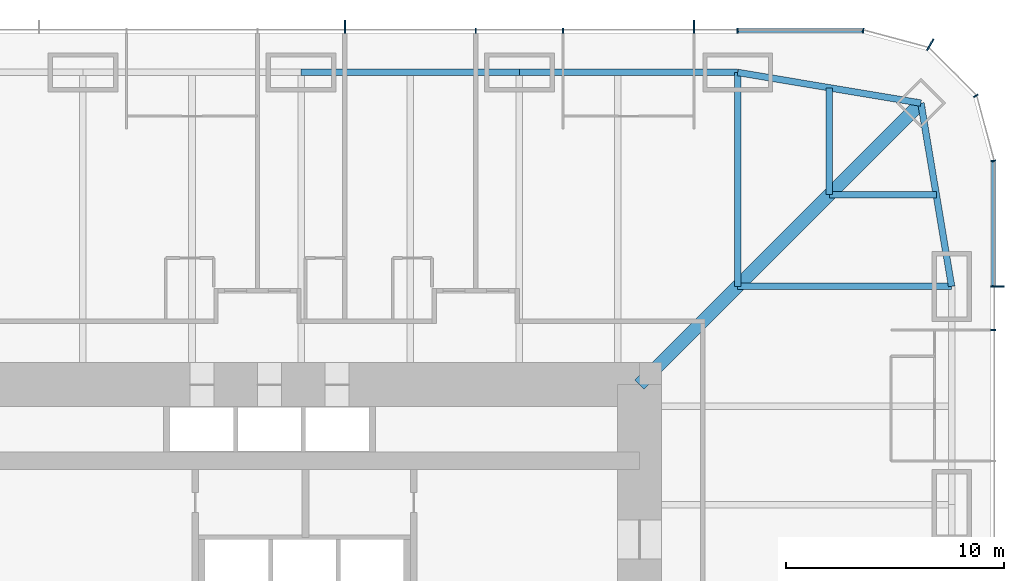
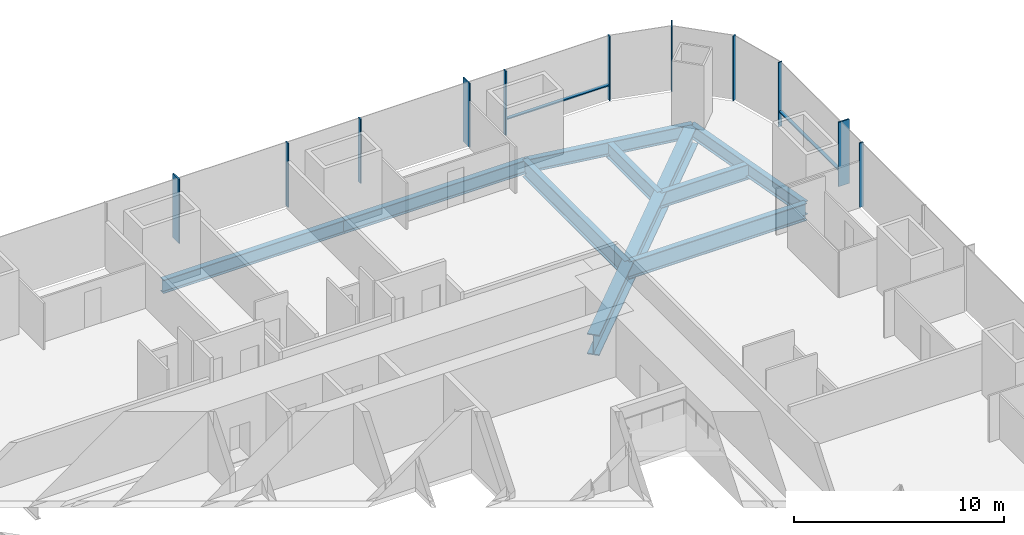
# One storey, part 9 of 17: 13 members, 9 beams, 3 elements without a shape of their own.
"""IFC4 building model written with IfcOpenShell, lengths in metres."""

from ifc_helpers import new_model, si_unit, direction, frame, origin, origin_2d, place, context, subcontext, project, spatial, rectangle, i_section, extrude, material, material_profile, profile_set, type_object, element, aggregate, save


model = new_model("IFC4")

# Units and contexts
model_context = context("Model", 3, precision=1e-05, world=origin(), true_north=direction((0.0, 1.0)))
body_context = subcontext(model_context, "Body", "Model", "MODEL_VIEW")
ifc_project = project(units=[si_unit("LENGTHUNIT", "METRE"), si_unit("AREAUNIT", "SQUARE_METRE"), si_unit("VOLUMEUNIT", "CUBIC_METRE"), si_unit("PLANEANGLEUNIT", "RADIAN"), si_unit("MASSUNIT", "GRAM", prefix="KILO")], contexts=[model_context])

# Site, building, storey
site_placement = place(None, origin())
site = spatial("IfcSite", under=ifc_project, at=site_placement, CompositionType="ELEMENT")
building_placement = place(site_placement, origin())
building = spatial("IfcBuilding", under=site, at=building_placement, Name="Khuree Lantern Residences", CompositionType="ELEMENT")
storey_placement = place(building_placement, frame((0.0, 0.0, 47.25)))
storey = spatial("IfcBuildingStorey", under=building, at=storey_placement, Name="L11", CompositionType="ELEMENT", Elevation=47.25)

# Beams
ifc_material_1 = material(Name="Steel S355", Category="steel")
ifc_material_profile_1 = material_profile(ifc_material_1, i_section(OverallWidth=0.300048828125, OverallDepth=0.889892578125, WebThickness=0.01611328125, FlangeThickness=0.030029296875, FilletRadius=0.030029296875, at=origin_2d()), Name="HE 900 A")
ifc_profile_set_1 = profile_set([ifc_material_profile_1], Name="Steel S355")
beam_type_1 = type_object("IfcBeamType", Name="B-12 SECONDARY BEAM HE 900 A", PredefinedType="BEAM", material=ifc_profile_set_1)
for number, where, z_axis, x_axis, name in (
    (1, (24.197021484375, 29.09716796875, -0.695068359375), (0.0, -1.0, 0.0), (1.0, 0.0, 0.0), "Secondary beam N5"),
    (2, (29.09716796875, 24.197021484375, -0.695068359375), (-1.0, 0.0, 0.0), (0.0, -1.0, 0.0), "Secondary beam E1"),
):
    element("IfcBeam", number, at=place(storey_placement, frame(where, z_axis=z_axis, x_axis=x_axis)), inside=storey, type_object=beam_type_1, Name=name, PredefinedType="BEAM", context=body_context, shape_type="SweptSolid", body=[
        extrude(i_section(OverallWidth=0.300048828125, OverallDepth=0.889892578125, WebThickness=0.01611328125, FlangeThickness=0.030029296875, FilletRadius=0.030029296875, at=origin_2d()), origin(), (0.0, 0.0, 1.0), 4.900146484375),
    ])
ifc_material_profile_2 = material_profile(ifc_material_1, i_section(OverallWidth=0.300048828125, OverallDepth=0.7900390625, WebThickness=0.014892578125, FlangeThickness=0.028076171875, FilletRadius=0.030029296875, at=origin_2d()), Name="HE 800 A")
ifc_profile_set_2 = profile_set([ifc_material_profile_2], Name="Steel S355")
beam_type_2 = type_object("IfcBeamType", Name="E-12 SPANDREL BEAM HE 800 A", PredefinedType="SPANDREL", material=ifc_profile_set_2)
for number, where, z_axis, x_axis, name in (
    (3, (0.0, 29.800048828125, -0.64501953125), (1.0, 0.0, 0.0), (0.0, 1.0, 0.0), "Spandrel beam N3"),
    (4, (10.0, 29.800048828125, -0.64501953125), (1.0, 0.0, 0.0), (0.0, 1.0, 0.0), "Spandrel beam N4"),
):
    element("IfcBeam", number, at=place(storey_placement, frame(where, z_axis=z_axis, x_axis=x_axis)), inside=storey, type_object=beam_type_2, Name=name, PredefinedType="SPANDREL", context=body_context, shape_type="SweptSolid", body=[
        extrude(i_section(OverallWidth=0.300048828125, OverallDepth=0.7900390625, WebThickness=0.014892578125, FlangeThickness=0.028076171875, FilletRadius=0.030029296875, at=origin_2d()), origin(), (0.0, 0.0, 1.0), 10.0),
    ])
for number, where, z_axis, x_axis, name in (
    (5, (20.0, 29.800048828125, -0.64501953125), (0.986260251158, -0.165199022349, 0.0), (0.165199022349, 0.986260251158, 0.0), "Spandrel beam N5"),
    (6, (28.39404296875, 28.39404296875, -0.64501953125), (0.165199022349, -0.986260251158, 0.0), (0.986260251158, 0.165199022349, 0.0), "Spandrel beam E1"),
):
    element("IfcBeam", number, at=place(storey_placement, frame(where, z_axis=z_axis, x_axis=x_axis)), inside=storey, type_object=beam_type_2, Name=name, PredefinedType="SPANDREL", context=body_context, shape_type="SweptSolid", body=[
        extrude(i_section(OverallWidth=0.300048828125, OverallDepth=0.7900390625, WebThickness=0.014892578125, FlangeThickness=0.028076171875, FilletRadius=0.030029296875, at=origin_2d()), origin(), (0.0, 0.0, 1.0), 8.510986328125),
    ])

# Curtain wall, member
ifc_material_2 = material(Name="Bronze anodised aluminium", Category="aluminium")
curtain_wall_type_1 = type_object("IfcCurtainWallType", Name="CW-T1 TOWER FACE CURTAIN WALL", PredefinedType="USERDEFINED", material=ifc_material_2)
curtain_wall_1_placement = place(storey_placement, origin())
curtain_wall_1 = element("IfcCurtainWall", 7, at=curtain_wall_1_placement, inside=storey, type_object=curtain_wall_type_1, Name="L11 EAST FACE CURTAIN WALL", ObjectType="Stick-built curtain wall", PredefinedType="USERDEFINED")
ifc_material_profile_3 = material_profile(ifc_material_2, rectangle(XDim=0.06494140625, YDim=0.60009765625, at=origin_2d()), Name="F1 65X600")
ifc_profile_set_3 = profile_set([ifc_material_profile_3], Name="Bronze anodised aluminium")
member_type_1 = type_object("IfcMemberType", Name="F1 BRONZE FIN MULLION TOWER 65X600", PredefinedType="MULLION", material=ifc_profile_set_3)
member_1_placement = place(storey_placement, frame((31.89990234375, 20.0, 0.0), z_axis=(0.0, 0.0, 1.0), x_axis=(0.0, 1.0, 0.0)))
member_1 = element("IfcMember", 8, at=member_1_placement, type_object=member_type_1, Name="L11 EAST FACE FIN MULLION 14", PredefinedType="MULLION", context=body_context, shape_type="SweptSolid", body=[
    extrude(rectangle(XDim=0.06494140625, YDim=0.60009765625, at=origin_2d()), origin(), (0.0, 0.0, 1.0), 3.75),
])

curtain_wall_type_2 = type_object("IfcCurtainWallType", Name="CW-T2 TOWER CORNER CURTAIN WALL", PredefinedType="USERDEFINED", material=ifc_material_2)
curtain_wall_2_placement = place(storey_placement, origin())
curtain_wall_2 = element("IfcCurtainWall", 9, at=curtain_wall_2_placement, inside=storey, type_object=curtain_wall_type_2, Name="L11 NORTH-EAST CORNER CURTAIN WALL", ObjectType="Faceted corner curtain wall", PredefinedType="USERDEFINED")
member_2_placement = place(storey_placement, frame((28.824951171875, 31.076171875, 0.0), z_axis=(0.0, 0.0, 1.0), x_axis=(-0.86602537092, 0.500000056923, 0.0)))
member_2 = element("IfcMember", 10, at=member_2_placement, type_object=member_type_1, Name="L11 NORTH-EAST CORNER FIN MULLION 17", PredefinedType="MULLION", context=body_context, shape_type="SweptSolid", body=[
    extrude(rectangle(XDim=0.06494140625, YDim=0.60009765625, at=origin_2d()), origin(), (0.0, 0.0, 1.0), 3.75),
])

# Curtain wall, members
curtain_wall_3_placement = place(storey_placement, origin())
curtain_wall_3 = element("IfcCurtainWall", 11, at=curtain_wall_3_placement, inside=storey, type_object=curtain_wall_type_1, Name="L11 NORTH FACE CURTAIN WALL", ObjectType="Stick-built curtain wall", PredefinedType="USERDEFINED")
member_3_placement = place(storey_placement, frame((18.0, 31.89990234375, 0.0), z_axis=(0.0, 0.0, 1.0), x_axis=(-1.0, 0.0, 0.0)))
member_3 = element("IfcMember", 12, at=member_3_placement, type_object=member_type_1, Name="L11 NORTH FACE FIN MULLION 20", PredefinedType="MULLION", context=body_context, shape_type="SweptSolid", body=[
    extrude(rectangle(XDim=0.06494140625, YDim=0.60009765625, at=origin_2d()), origin(), (0.0, 0.0, 1.0), 3.75),
])
member_4_placement = place(storey_placement, frame((2.0, 31.89990234375, 0.0), z_axis=(0.0, 0.0, 1.0), x_axis=(-1.0, 0.0, 0.0)))
member_4 = element("IfcMember", 13, at=member_4_placement, type_object=member_type_1, Name="L11 NORTH FACE FIN MULLION 23", PredefinedType="MULLION", context=body_context, shape_type="SweptSolid", body=[
    extrude(rectangle(XDim=0.06494140625, YDim=0.60009765625, at=origin_2d()), origin(), (0.0, 0.0, 1.0), 3.75),
])

# Beams
ifc_material_profile_4 = material_profile(ifc_material_1, i_section(OverallWidth=0.302001953125, OverallDepth=1.008056640625, WebThickness=0.02099609375, FlangeThickness=0.0400390625, FilletRadius=0.030029296875, at=origin_2d()), Name="HE 1000 M")
ifc_profile_set_4 = profile_set([ifc_material_profile_4], Name="Steel S355")
beam_type_3 = type_object("IfcBeamType", Name="G-12 GIRDER HE 1000 M", PredefinedType="BEAM", material=ifc_profile_set_4)
for number, where, z_axis, x_axis, name in (
    (14, (20.0, 29.800048828125, -0.75390625), (0.0, -1.0, 0.0), (1.0, 0.0, 0.0), "Girder N5"),
    (15, (29.800048828125, 20.0, -0.75390625), (-1.0, 0.0, 0.0), (0.0, -1.0, 0.0), "Girder E1"),
):
    element("IfcBeam", number, at=place(storey_placement, frame(where, z_axis=z_axis, x_axis=x_axis)), inside=storey, type_object=beam_type_3, Name=name, PredefinedType="BEAM", context=body_context, shape_type="SweptSolid", body=[
        extrude(i_section(OverallWidth=0.302001953125, OverallDepth=1.008056640625, WebThickness=0.02099609375, FlangeThickness=0.0400390625, FilletRadius=0.030029296875, at=origin_2d()), origin(), (0.0, 0.0, 1.0), 9.800048828125),
    ])
ifc_material_profile_5 = material_profile(ifc_material_1, i_section(OverallWidth=0.60009765625, OverallDepth=1.199951171875, WebThickness=0.030029296875, FlangeThickness=0.06005859375, at=origin_2d()), Name="WELDED I 1200X600X30X60")
ifc_profile_set_5 = profile_set([ifc_material_profile_5], Name="Steel S355")
beam_type_4 = type_object("IfcBeamType", Name="GD-12 CORNER GIRDER WELDED I 1200X600X30X60", PredefinedType="BEAM", material=ifc_profile_set_5)
beam_placement = place(storey_placement, frame((28.39404296875, 28.39404296875, -0.85009765625), z_axis=(-0.707106781187, -0.707106781187, 0.0), x_axis=(0.707106781187, -0.707106781187, 0.0)))
element("IfcBeam", 16, at=beam_placement, inside=storey, type_object=beam_type_4, Name="Corner girder NE", PredefinedType="BEAM", context=body_context, shape_type="SweptSolid", body=[
    extrude(i_section(OverallWidth=0.60009765625, OverallDepth=1.199951171875, WebThickness=0.030029296875, FlangeThickness=0.06005859375, at=origin_2d()), origin(), (0.0, 0.0, 1.0), 18.23486328125),
])

# Member
ifc_material_profile_6 = material_profile(ifc_material_2, rectangle(XDim=0.06494140625, YDim=0.219970703125, at=origin_2d()), Name="M1 65X220")
ifc_profile_set_6 = profile_set([ifc_material_profile_6], Name="Bronze anodised aluminium")
member_type_2 = type_object("IfcMemberType", Name="M1 BRONZE MULLION TOWER 65X220", PredefinedType="MULLION", material=ifc_profile_set_6)
member_5_placement = place(storey_placement, frame((31.7099609375, 18.0, 0.0), z_axis=(0.0, 0.0, 1.0), x_axis=(0.0, 1.0, 0.0)))
member_5 = element("IfcMember", 17, at=member_5_placement, type_object=member_type_2, Name="L11 EAST FACE MULLION 13", PredefinedType="MULLION", context=body_context, shape_type="SweptSolid", body=[
    extrude(rectangle(XDim=0.06494140625, YDim=0.219970703125, at=origin_2d()), origin(), (0.0, 0.0, 1.0), 3.75),
])

member_6_placement = place(storey_placement, frame((31.711669921875, 25.744873046875, 0.0), z_axis=(0.0, 0.0, 1.0), x_axis=(-0.130526257387, 0.991444852794, 0.0)))
member_6 = element("IfcMember", 18, at=member_6_placement, type_object=member_type_2, Name="L11 NORTH-EAST CORNER MULLION 15", PredefinedType="MULLION", context=body_context, shape_type="SweptSolid", body=[
    extrude(rectangle(XDim=0.06494140625, YDim=0.219970703125, at=origin_2d()), origin(), (0.0, 0.0, 1.0), 3.75),
])

member_7_placement = place(storey_placement, frame((30.91162109375, 28.72998046875, 0.0), z_axis=(0.0, 0.0, 1.0), x_axis=(-0.500000056923, 0.86602537092, 0.0)))
member_7 = element("IfcMember", 19, at=member_7_placement, type_object=member_type_2, Name="L11 NORTH-EAST CORNER MULLION 16", PredefinedType="MULLION", context=body_context, shape_type="SweptSolid", body=[
    extrude(rectangle(XDim=0.06494140625, YDim=0.219970703125, at=origin_2d()), origin(), (0.0, 0.0, 1.0), 3.75),
])

aggregate(curtain_wall_2, [member_6, member_7, member_2])

member_8_placement = place(storey_placement, frame((25.744873046875, 31.711669921875, 0.0), z_axis=(0.0, 0.0, 1.0), x_axis=(-0.991444852794, 0.130526257387, 0.0)))
member_8 = element("IfcMember", 20, at=member_8_placement, type_object=member_type_2, Name="L11 NORTH FACE MULLION 18", PredefinedType="MULLION", context=body_context, shape_type="SweptSolid", body=[
    extrude(rectangle(XDim=0.06494140625, YDim=0.219970703125, at=origin_2d()), origin(), (0.0, 0.0, 1.0), 3.75),
])

member_9_placement = place(storey_placement, frame((20.0, 31.7099609375, 0.0), z_axis=(0.0, 0.0, 1.0), x_axis=(-1.0, 0.0, 0.0)))
member_9 = element("IfcMember", 21, at=member_9_placement, type_object=member_type_2, Name="L11 NORTH FACE MULLION 19", PredefinedType="MULLION", context=body_context, shape_type="SweptSolid", body=[
    extrude(rectangle(XDim=0.06494140625, YDim=0.219970703125, at=origin_2d()), origin(), (0.0, 0.0, 1.0), 3.75),
])

member_10_placement = place(storey_placement, frame((12.0, 31.7099609375, 0.0), z_axis=(0.0, 0.0, 1.0), x_axis=(-1.0, 0.0, 0.0)))
member_10 = element("IfcMember", 22, at=member_10_placement, type_object=member_type_2, Name="L11 NORTH FACE MULLION 21", PredefinedType="MULLION", context=body_context, shape_type="SweptSolid", body=[
    extrude(rectangle(XDim=0.06494140625, YDim=0.219970703125, at=origin_2d()), origin(), (0.0, 0.0, 1.0), 3.75),
])

member_11_placement = place(storey_placement, frame((8.0, 31.7099609375, 0.0), z_axis=(0.0, 0.0, 1.0), x_axis=(-1.0, 0.0, 0.0)))
member_11 = element("IfcMember", 23, at=member_11_placement, type_object=member_type_2, Name="L11 NORTH FACE MULLION 22", PredefinedType="MULLION", context=body_context, shape_type="SweptSolid", body=[
    extrude(rectangle(XDim=0.06494140625, YDim=0.219970703125, at=origin_2d()), origin(), (0.0, 0.0, 1.0), 3.75),
])

ifc_material_profile_7 = material_profile(ifc_material_2, rectangle(XDim=0.179931640625, YDim=0.06494140625, at=origin_2d()), Name="T1 180X65")
ifc_profile_set_7 = profile_set([ifc_material_profile_7], Name="Bronze anodised aluminium")
member_type_3 = type_object("IfcMemberType", Name="TRANSOM T1 TOWER 180X65", PredefinedType="USERDEFINED", material=ifc_profile_set_7)
member_12_placement = place(storey_placement, frame((31.719970703125, 20.032470703125, 0.89990234375), z_axis=(0.0, 1.0, 0.0), x_axis=(-1.0, 0.0, 0.0)))
member_12 = element("IfcMember", 24, at=member_12_placement, type_object=member_type_3, Name="L11 EAST FACE TRANSOM 14.1", ObjectType="Transom", PredefinedType="USERDEFINED", context=body_context, shape_type="SweptSolid", body=[
    extrude(rectangle(XDim=0.179931640625, YDim=0.06494140625, at=origin_2d()), origin(), (0.0, 0.0, 1.0), 5.6689453125),
])

aggregate(curtain_wall_1, [member_5, member_1, member_12])

member_13_placement = place(storey_placement, frame((25.701416015625, 31.719970703125, 0.89990234375), z_axis=(-1.0, 0.0, 0.0), x_axis=(0.0, -1.0, 0.0)))
member_13 = element("IfcMember", 25, at=member_13_placement, type_object=member_type_3, Name="L11 NORTH FACE TRANSOM 18.1", ObjectType="Transom", PredefinedType="USERDEFINED", context=body_context, shape_type="SweptSolid", body=[
    extrude(rectangle(XDim=0.179931640625, YDim=0.06494140625, at=origin_2d()), origin(), (0.0, 0.0, 1.0), 5.6689453125),
])

aggregate(curtain_wall_3, [member_8, member_9, member_3, member_10, member_11, member_4, member_13])

save(model, "model.ifc")
